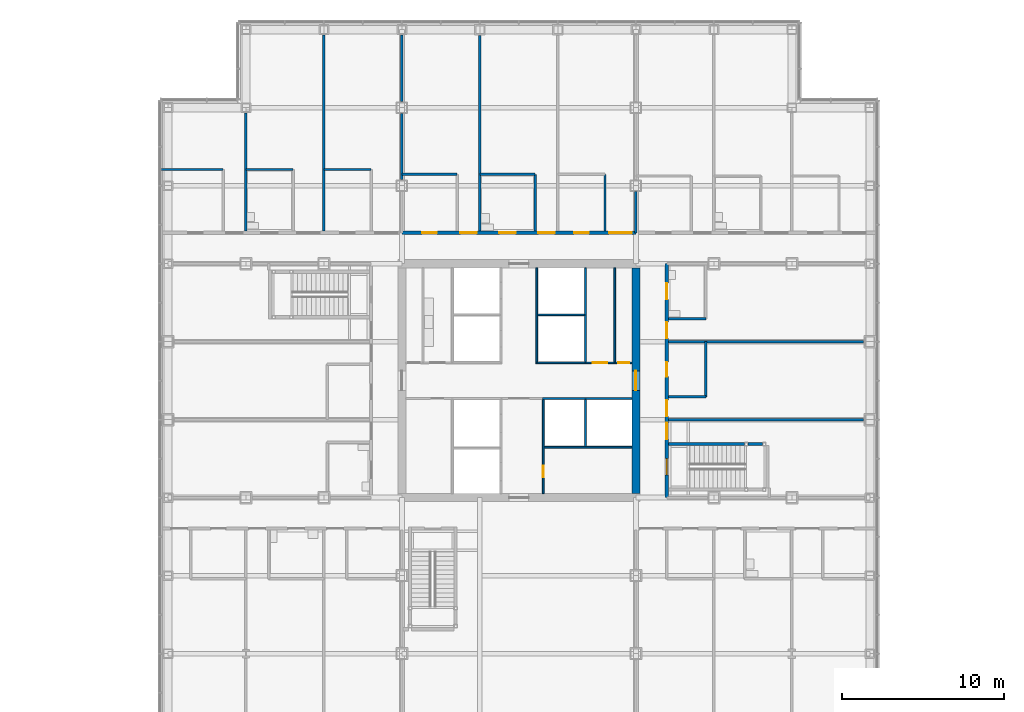
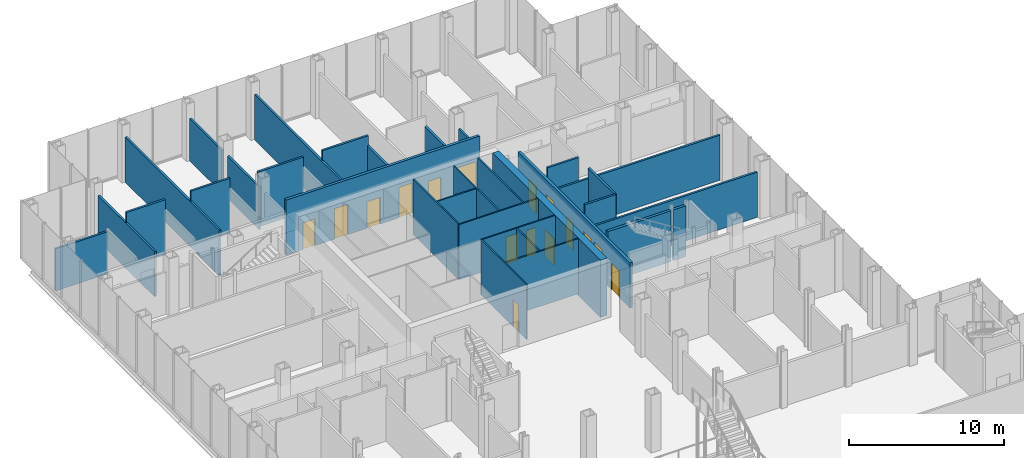
# One storey, part 22 of 28: 32 walls, 16 doors, 16 openings.
"""IFC4 building model written with IfcOpenShell, lengths in metres."""

from ifc_helpers import new_model, si_unit, direction, frame, frame_2d, origin, place, context, subcontext, project, spatial, rectangle, extrude, material, layer, layer_set, type_object, element, fill, save


model = new_model("IFC4")

# Units and contexts
model_context = context("Model", 3, precision=1e-05, world=origin(), true_north=direction((0.0, 1.0)))
body_context = subcontext(model_context, "Body", "Model", "MODEL_VIEW")
ifc_project = project(units=[si_unit("LENGTHUNIT", "METRE"), si_unit("AREAUNIT", "SQUARE_METRE"), si_unit("VOLUMEUNIT", "CUBIC_METRE"), si_unit("PLANEANGLEUNIT", "RADIAN"), si_unit("MASSUNIT", "GRAM", prefix="KILO")], contexts=[model_context])

# Site, building, storey
site_placement = place(None, origin())
site = spatial("IfcSite", under=ifc_project, at=site_placement, CompositionType="ELEMENT")
building_placement = place(site_placement, origin())
building = spatial("IfcBuilding", under=site, at=building_placement, Name="Kvirike Care Tower", CompositionType="ELEMENT")
storey_placement = place(building_placement, frame((0.0, 0.0, 4.5)))
storey = spatial("IfcBuildingStorey", under=building, at=storey_placement, Name="L01", CompositionType="ELEMENT", Elevation=4.5)

# Walls
ifc_material_1 = material(Name="Plasterboard partition", Category="gypsum")
ifc_layer_1 = layer(ifc_material_1, 0.14990234375)
ifc_layer_set_1 = layer_set([ifc_layer_1], Name="CLINIC PARTITION 150")
wall_type_1 = type_object("IfcWallType", Name="CLINIC PARTITION 150", PredefinedType="PARTITIONING", material=ifc_layer_set_1)
for number, where, z_axis, x_axis, name in (
    (1, (12.5, 49.0, 0.0), (0.0, 0.0, 1.0), (-1.0, 0.0, 0.0), "Clinic Partition 150 L01"),
    (2, (7.699951171875, 49.0, 0.0), (0.0, 0.0, 1.0), (-1.0, 0.0, 0.0), "Clinic Partition 150 L01"),
):
    element("IfcWall", number, at=place(storey_placement, frame(where, z_axis=z_axis, x_axis=x_axis)), inside=storey, type_object=wall_type_1, Name=name, PredefinedType="PARTITIONING", context=body_context, shape_type="SweptSolid", body=[
        extrude(rectangle(XDim=2.89990234375, YDim=0.14990234375, at=frame_2d((1.449951171875, 0.0))), origin(), (0.0, 0.0, 1.0), 4.330078125),
    ])
wall_1_placement = place(storey_placement, frame((3.39990234375, 49.0, 0.0), z_axis=(0.0, 0.0, 1.0), x_axis=(-1.0, 0.0, 0.0)))
element("IfcWall", 3, at=wall_1_placement, inside=storey, type_object=wall_type_1, Name="Clinic Partition 150 L01", PredefinedType="PARTITIONING", context=body_context, shape_type="SweptSolid", body=[
    extrude(rectangle(XDim=3.85498046875, YDim=0.14990234375, at=frame_2d((1.927490234375, 0.0))), origin(), (0.0, 0.0, 1.0), 3.320068359375),
])
wall_2_placement = place(storey_placement, frame((9.60009765625, 57.280029296875, 0.0), z_axis=(0.0, 0.0, 1.0), x_axis=(0.0, -1.0, 0.0)))
element("IfcWall", 4, at=wall_2_placement, inside=storey, type_object=wall_type_1, Name="Clinic Partition 150 L01", PredefinedType="PARTITIONING", context=body_context, shape_type="SweptSolid", body=[
    extrude(rectangle(XDim=12.080078125, YDim=0.14990234375, at=frame_2d((6.0400390625, 0.0))), origin(), (0.0, 0.0, 1.0), 3.550048828125),
])
wall_3_placement = place(storey_placement, frame((4.800048828125, 52.47998046875, 0.0), z_axis=(0.0, 0.0, 1.0), x_axis=(0.0, -1.0, 0.0)))
element("IfcWall", 5, at=wall_3_placement, inside=storey, type_object=wall_type_1, Name="Clinic Partition 150 L01", PredefinedType="PARTITIONING", context=body_context, shape_type="SweptSolid", body=[
    extrude(rectangle(XDim=7.280029296875, YDim=0.14990234375, at=frame_2d((3.64013671875, 0.0))), origin(), (0.0, 0.0, 1.0), 3.550048828125),
])
for number, where, z_axis, x_axis, name in (
    (6, (26.89990234375, 48.699951171875, 0.0), (0.0, 0.0, 1.0), (0.0, -1.0, 0.0), "Clinic Partition 150 L01"),
    (7, (22.60009765625, 48.699951171875, 0.0), (0.0, 0.0, 1.0), (0.0, -1.0, 0.0), "Clinic Partition 150 L01"),
):
    element("IfcWall", number, at=place(storey_placement, frame(where, z_axis=z_axis, x_axis=x_axis)), inside=storey, type_object=wall_type_1, Name=name, PredefinedType="PARTITIONING", context=body_context, shape_type="SweptSolid", body=[
        extrude(rectangle(XDim=3.5, YDim=0.14990234375, at=frame_2d((1.75, 0.0))), origin(), (0.0, 0.0, 1.0), 3.550048828125),
    ])
for number, where, z_axis, x_axis, name in (
    (8, (22.60009765625, 48.699951171875, 0.0), (0.0, 0.0, 1.0), (-1.0, 0.0, 0.0), "Clinic Partition 150 L01"),
    (9, (17.800048828125, 48.699951171875, 0.0), (0.0, 0.0, 1.0), (-1.0, 0.0, 0.0), "Clinic Partition 150 L01"),
):
    element("IfcWall", number, at=place(storey_placement, frame(where, z_axis=z_axis, x_axis=x_axis)), inside=storey, type_object=wall_type_1, Name=name, PredefinedType="PARTITIONING", context=body_context, shape_type="SweptSolid", body=[
        extrude(rectangle(XDim=3.400146484375, YDim=0.14990234375, at=frame_2d((1.7001953125, 0.0))), origin(), (0.0, 0.0, 1.0), 4.330078125),
    ])
wall_4_placement = place(storey_placement, frame((19.199951171875, 57.2548828125, 0.0), z_axis=(0.0, 0.0, 1.0), x_axis=(0.0, -1.0, 0.0)))
element("IfcWall", 10, at=wall_4_placement, inside=storey, type_object=wall_type_1, Name="Clinic Partition 150 L01", PredefinedType="PARTITIONING", context=body_context, shape_type="SweptSolid", body=[
    extrude(rectangle(XDim=12.054931640625, YDim=0.14990234375, at=frame_2d((6.02734375, 0.0))), origin(), (0.0, 0.0, 1.0), 3.550048828125),
])
wall_5_placement = place(storey_placement, frame((33.10009765625, 35.0, 0.0), z_axis=(0.0, 0.0, 1.0), x_axis=(-1.0, 0.0, 0.0)))
element("IfcWall", 11, at=wall_5_placement, inside=storey, type_object=wall_type_1, Name="Clinic Partition 150 L01", PredefinedType="PARTITIONING", context=body_context, shape_type="SweptSolid", body=[
    extrude(rectangle(XDim=2.300048828125, YDim=0.14990234375, at=frame_2d((1.14990234375, 0.0))), origin(), (0.0, 0.0, 1.0), 4.330078125),
])
wall_6_placement = place(storey_placement, frame((33.10009765625, 35.0, 0.0), z_axis=(0.0, 0.0, 1.0), x_axis=(0.0, 1.0, 0.0)))
element("IfcWall", 12, at=wall_6_placement, inside=storey, type_object=wall_type_1, Name="Clinic Partition 150 L01", PredefinedType="PARTITIONING", context=body_context, shape_type="SweptSolid", body=[
    extrude(rectangle(XDim=3.39990234375, YDim=0.14990234375, at=frame_2d((1.699951171875, 0.0))), origin(), (0.0, 0.0, 1.0), 4.330078125),
])
wall_7_placement = place(storey_placement, frame((33.10009765625, 39.800048828125, 0.0), z_axis=(0.0, 0.0, 1.0), x_axis=(-1.0, 0.0, 0.0)))
element("IfcWall", 13, at=wall_7_placement, inside=storey, type_object=wall_type_1, Name="Clinic Partition 150 L01", PredefinedType="PARTITIONING", context=body_context, shape_type="SweptSolid", body=[
    extrude(rectangle(XDim=2.300048828125, YDim=0.14990234375, at=frame_2d((1.14990234375, 0.0))), origin(), (0.0, 0.0, 1.0), 4.330078125),
])
for number, where, z_axis, x_axis, name in (
    (14, (42.804931640625, 33.60009765625, 0.0), (0.0, 0.0, 1.0), (-1.0, 0.0, 0.0), "Clinic Partition 150 L01"),
    (15, (42.804931640625, 38.39990234375, 0.0), (0.0, 0.0, 1.0), (-1.0, 0.0, 0.0), "Clinic Partition 150 L01"),
):
    element("IfcWall", number, at=place(storey_placement, frame(where, z_axis=z_axis, x_axis=x_axis)), inside=storey, type_object=wall_type_1, Name=name, PredefinedType="PARTITIONING", context=body_context, shape_type="SweptSolid", body=[
        extrude(rectangle(XDim=12.0048828125, YDim=0.14990234375, at=frame_2d((6.00244140625, 0.0))), origin(), (0.0, 0.0, 1.0), 3.550048828125),
    ])
wall_8_placement = place(storey_placement, frame((14.39990234375, 48.3701171875, 0.0), z_axis=(0.0, 0.0, 1.0), x_axis=(0.0, 1.0, 0.0)))
element("IfcWall", 16, at=wall_8_placement, inside=storey, type_object=wall_type_1, Name="Clinic Partition 150 L01", PredefinedType="PARTITIONING", context=body_context, shape_type="SweptSolid", body=[
    extrude(rectangle(XDim=4.059814453125, YDim=0.14990234375, at=frame_2d((2.02978515625, 0.0))), origin(), (0.0, 0.0, 1.0), 3.320068359375),
])
wall_9_placement = place(storey_placement, frame((14.39990234375, 53.169921875, 0.0), z_axis=(0.0, 0.0, 1.0), x_axis=(0.0, 1.0, 0.0)))
element("IfcWall", 17, at=wall_9_placement, inside=storey, type_object=wall_type_1, Name="Clinic Partition 150 L01", PredefinedType="PARTITIONING", context=body_context, shape_type="SweptSolid", body=[
    extrude(rectangle(XDim=4.110107421875, YDim=0.14990234375, at=frame_2d((2.05517578125, 0.0))), origin(), (0.0, 0.0, 1.0), 3.320068359375),
])
wall_10_placement = place(storey_placement, frame((28.800048828125, 45.10009765625, 0.0), z_axis=(0.0, 0.0, 1.0), x_axis=(0.0, 1.0, 0.0)))
element("IfcWall", 18, at=wall_10_placement, inside=storey, type_object=wall_type_1, Name="Clinic Partition 150 L01", PredefinedType="PARTITIONING", context=body_context, shape_type="SweptSolid", body=[
    extrude(rectangle(XDim=2.52978515625, YDim=0.14990234375, at=frame_2d((1.264892578125, 0.0))), origin(), (0.0, 0.0, 1.0), 3.320068359375),
])

# Wall, opening, door
ifc_material_2 = material(Name="Concrete C60/75", Category="concrete")
ifc_layer_2 = layer(ifc_material_2, 0.5)
ifc_layer_set_2 = layer_set([ifc_layer_2], Name="CORE WALL 500 C60-75")
wall_type_2 = type_object("IfcWallType", Name="CORE WALL 500 C60-75", PredefinedType="SHEAR", material=ifc_layer_set_2)
wall_11_placement = place(storey_placement, frame((28.800048828125, 29.050048828125, -0.169921875), z_axis=(0.0, 0.0, 1.0), x_axis=(0.0, 1.0, 0.0)))
wall_11 = element("IfcWall", 19, at=wall_11_placement, inside=storey, type_object=wall_type_2, Name="Core wall E L01", PredefinedType="SHEAR", context=body_context, shape_type="SweptSolid", body=[
    extrude(rectangle(XDim=13.89990234375, YDim=0.5, at=frame_2d((6.949951171875, 0.0))), origin(), (0.0, 0.0, 1.0), 4.5),
])
opening_1_placement = place(wall_11_placement, frame((6.35009765625, 0.0, 0.169921875)))
opening_1 = element("IfcOpeningElement", 20, at=opening_1_placement, cuts=wall_11, Name="Opening 01-061", PredefinedType="OPENING", context=body_context, shape_type="SweptSolid", body=[
    extrude(rectangle(XDim=1.199951171875, YDim=2.10009765625, at=frame_2d((0.60009765625, 1.050048828125))), frame((0.0, 0.260498046875, 0.0), z_axis=(0.0, -1.0, 0.0), x_axis=(1.0, 0.0, 0.0)), (0.0, 0.0, 1.0), 0.52099609375),
])
ifc_material_3 = material(Name="Timber door set", Category="wood")
door_type_1 = type_object("IfcDoorType", Name="CORE DOOR 1200", OperationType="SINGLE_SWING_LEFT", PredefinedType="DOOR", material=ifc_material_3)
door_1_placement = place(opening_1_placement, origin())
door_1 = element("IfcDoor", 21, at=door_1_placement, inside=storey, type_object=door_type_1, Name="Core door E L01", OperationType="SINGLE_SWING_LEFT", OverallHeight=2.10009765625, OverallWidth=1.199951171875, PredefinedType="DOOR", context=body_context, shape_type="SweptSolid", body=[
    extrude(rectangle(XDim=1.199951171875, YDim=2.10009765625, at=frame_2d((0.60009765625, 1.050048828125))), frame((0.0, 0.02685546875, 0.0), z_axis=(0.0, -1.0, 0.0), x_axis=(1.0, 0.0, 0.0)), (0.0, 0.0, 1.0), 0.053955078125),
])
fill(opening_1, door_1)

# Wall, openings, doors
ifc_material_4 = material(Name="Plasterboard corridor wall", Category="gypsum")
ifc_layer_3 = layer(ifc_material_4, 0.199951171875)
ifc_layer_set_3 = layer_set([ifc_layer_3], Name="CORRIDOR WALL 200")
wall_type_3 = type_object("IfcWallType", Name="CORRIDOR WALL 200", PredefinedType="PARTITIONING", material=ifc_layer_set_3)
wall_12_placement = place(storey_placement, frame((28.800048828125, 45.10009765625, 0.0), z_axis=(0.0, 0.0, 1.0), x_axis=(-1.0, 0.0, 0.0)))
wall_12 = element("IfcWall", 22, at=wall_12_placement, inside=storey, type_object=wall_type_3, Name="Corridor Wall 200 L01", PredefinedType="PARTITIONING", context=body_context, shape_type="SweptSolid", body=[
    extrude(rectangle(XDim=14.400146484375, YDim=0.199951171875, at=frame_2d((7.2001953125, 0.0))), origin(), (0.0, 0.0, 1.0), 4.330078125),
])
opening_2_placement = place(wall_12_placement, frame((0.25, 0.0, 0.0)))
opening_2 = element("IfcOpeningElement", 23, at=opening_2_placement, cuts=wall_12, Name="Opening 01-020", PredefinedType="OPENING", context=body_context, shape_type="SweptSolid", body=[
    extrude(rectangle(XDim=1.39990234375, YDim=2.39990234375, at=frame_2d((0.699951171875, 1.199951171875))), frame((0.0, 0.110595703125, 0.0), z_axis=(0.0, -1.0, 0.0), x_axis=(1.0, 0.0, 0.0)), (0.0, 0.0, 1.0), 0.220947265625),
])
opening_3_placement = place(wall_12_placement, frame((5.0, 0.0, 0.0)))
opening_3 = element("IfcOpeningElement", 24, at=opening_3_placement, cuts=wall_12, Name="Opening 01-021", PredefinedType="OPENING", context=body_context, shape_type="SweptSolid", body=[
    extrude(rectangle(XDim=1.0, YDim=2.39990234375, at=frame_2d((0.5, 1.199951171875))), frame((0.0, 0.110595703125, 0.0), z_axis=(0.0, -1.0, 0.0), x_axis=(1.0, 0.0, 0.0)), (0.0, 0.0, 1.0), 0.220947265625),
])
opening_4_placement = place(wall_12_placement, frame((9.800048828125, 0.0, 0.0)))
opening_4 = element("IfcOpeningElement", 25, at=opening_4_placement, cuts=wall_12, Name="Opening 01-022", PredefinedType="OPENING", context=body_context, shape_type="SweptSolid", body=[
    extrude(rectangle(XDim=1.0, YDim=2.39990234375, at=frame_2d((0.5, 1.199951171875))), frame((0.0, 0.110595703125, 0.0), z_axis=(0.0, -1.0, 0.0), x_axis=(1.0, 0.0, 0.0)), (0.0, 0.0, 1.0), 0.220947265625),
])
opening_5_placement = place(wall_12_placement, frame((2.89990234375, 0.0, 0.0)))
opening_5 = element("IfcOpeningElement", 26, at=opening_5_placement, cuts=wall_12, Name="Opening 01-023", PredefinedType="OPENING", context=body_context, shape_type="SweptSolid", body=[
    extrude(rectangle(XDim=0.89990234375, YDim=2.10009765625, at=frame_2d((0.449951171875, 1.050048828125))), frame((0.0, 0.110595703125, 0.0), z_axis=(0.0, -1.0, 0.0), x_axis=(1.0, 0.0, 0.0)), (0.0, 0.0, 1.0), 0.220947265625),
])
opening_6_placement = place(wall_12_placement, frame((7.39990234375, 0.0, 0.0)))
opening_6 = element("IfcOpeningElement", 27, at=opening_6_placement, cuts=wall_12, Name="Opening 01-024", PredefinedType="OPENING", context=body_context, shape_type="SweptSolid", body=[
    extrude(rectangle(XDim=1.0, YDim=2.10009765625, at=frame_2d((0.5, 1.050048828125))), frame((0.0, 0.110595703125, 0.0), z_axis=(0.0, -1.0, 0.0), x_axis=(1.0, 0.0, 0.0)), (0.0, 0.0, 1.0), 0.220947265625),
])
opening_7_placement = place(wall_12_placement, frame((12.25, 0.0, 0.0)))
opening_7 = element("IfcOpeningElement", 28, at=opening_7_placement, cuts=wall_12, Name="Opening 01-025", PredefinedType="OPENING", context=body_context, shape_type="SweptSolid", body=[
    extrude(rectangle(XDim=0.89990234375, YDim=2.10009765625, at=frame_2d((0.449951171875, 1.050048828125))), frame((0.0, 0.110595703125, 0.0), z_axis=(0.0, -1.0, 0.0), x_axis=(1.0, 0.0, 0.0)), (0.0, 0.0, 1.0), 0.220947265625),
])
ifc_material_5 = material(Name="Timber door set", Category="wood")
door_type_2 = type_object("IfcDoorType", Name="CONSULTING ROOM DOOR 1000", OperationType="SINGLE_SWING_LEFT", PredefinedType="DOOR", material=ifc_material_5)
door_2_placement = place(opening_3_placement, frame((1.0, 0.0, 0.0), z_axis=(0.0, 0.0, 1.0), x_axis=(-1.0, 0.0, 0.0)))
door_2 = element("IfcDoor", 29, at=door_2_placement, inside=storey, type_object=door_type_2, Name="Ophthalmology room door", OperationType="SINGLE_SWING_RIGHT", OverallHeight=2.39990234375, OverallWidth=1.0, PredefinedType="DOOR", context=body_context, shape_type="SweptSolid", body=[
    extrude(rectangle(XDim=1.0, YDim=2.39990234375, at=frame_2d((0.5, 1.199951171875))), frame((0.0, 0.02685546875, 0.0), z_axis=(0.0, -1.0, 0.0), x_axis=(1.0, 0.0, 0.0)), (0.0, 0.0, 1.0), 0.053955078125),
])
fill(opening_3, door_2)
door_3_placement = place(opening_4_placement, frame((1.0, 0.0, 0.0), z_axis=(0.0, 0.0, 1.0), x_axis=(-1.0, 0.0, 0.0)))
door_3 = element("IfcDoor", 30, at=door_3_placement, inside=storey, type_object=door_type_2, Name="Podiatry room door", OperationType="SINGLE_SWING_RIGHT", OverallHeight=2.39990234375, OverallWidth=1.0, PredefinedType="DOOR", context=body_context, shape_type="SweptSolid", body=[
    extrude(rectangle(XDim=1.0, YDim=2.39990234375, at=frame_2d((0.5, 1.199951171875))), frame((0.0, 0.02685546875, 0.0), z_axis=(0.0, -1.0, 0.0), x_axis=(1.0, 0.0, 0.0)), (0.0, 0.0, 1.0), 0.053955078125),
])
fill(opening_4, door_3)
ifc_material_6 = material(Name="Timber door set", Category="wood")
door_type_3 = type_object("IfcDoorType", Name="STORE DOOR 900", OperationType="SINGLE_SWING_LEFT", PredefinedType="DOOR", material=ifc_material_6)
door_4_placement = place(opening_5_placement, frame((0.89990234375, 0.0, 0.0), z_axis=(0.0, 0.0, 1.0), x_axis=(-1.0, 0.0, 0.0)))
door_4 = element("IfcDoor", 31, at=door_4_placement, inside=storey, type_object=door_type_3, Name="Store door", OperationType="SINGLE_SWING_RIGHT", OverallHeight=2.10009765625, OverallWidth=0.89990234375, PredefinedType="DOOR", context=body_context, shape_type="SweptSolid", body=[
    extrude(rectangle(XDim=0.89990234375, YDim=2.10009765625, at=frame_2d((0.449951171875, 1.050048828125))), frame((0.0, 0.02685546875, 0.0), z_axis=(0.0, -1.0, 0.0), x_axis=(1.0, 0.0, 0.0)), (0.0, 0.0, 1.0), 0.053955078125),
])
fill(opening_5, door_4)
door_5_placement = place(opening_7_placement, frame((0.89990234375, 0.0, 0.0), z_axis=(0.0, 0.0, 1.0), x_axis=(-1.0, 0.0, 0.0)))
door_5 = element("IfcDoor", 32, at=door_5_placement, inside=storey, type_object=door_type_3, Name="Store door", OperationType="SINGLE_SWING_LEFT", OverallHeight=2.10009765625, OverallWidth=0.89990234375, PredefinedType="DOOR", context=body_context, shape_type="SweptSolid", body=[
    extrude(rectangle(XDim=0.89990234375, YDim=2.10009765625, at=frame_2d((0.449951171875, 1.050048828125))), frame((0.0, 0.02685546875, 0.0), z_axis=(0.0, -1.0, 0.0), x_axis=(1.0, 0.0, 0.0)), (0.0, 0.0, 1.0), 0.053955078125),
])
fill(opening_7, door_5)
ifc_material_7 = material(Name="Timber door set", Category="wood")
door_type_4 = type_object("IfcDoorType", Name="TREATMENT ROOM DOOR 1400", OperationType="DOUBLE_DOOR_SINGLE_SWING", PredefinedType="DOOR", material=ifc_material_7)
door_6_placement = place(opening_2_placement, frame((1.39990234375, 0.0, 0.0), z_axis=(0.0, 0.0, 1.0), x_axis=(-1.0, 0.0, 0.0)))
door_6 = element("IfcDoor", 33, at=door_6_placement, inside=storey, type_object=door_type_4, Name="Phlebotomy room door", OperationType="DOUBLE_DOOR_SINGLE_SWING", OverallHeight=2.39990234375, OverallWidth=1.39990234375, PredefinedType="DOOR", context=body_context, shape_type="SweptSolid", body=[
    extrude(rectangle(XDim=1.39990234375, YDim=2.39990234375, at=frame_2d((0.699951171875, 1.199951171875))), frame((0.0, 0.02685546875, 0.0), z_axis=(0.0, -1.0, 0.0), x_axis=(1.0, 0.0, 0.0)), (0.0, 0.0, 1.0), 0.053955078125),
])
fill(opening_2, door_6)
ifc_material_8 = material(Name="Timber door set", Category="wood")
door_type_5 = type_object("IfcDoorType", Name="WC DOOR 1000", OperationType="SINGLE_SWING_LEFT", PredefinedType="DOOR", material=ifc_material_8)
door_7_placement = place(opening_6_placement, frame((1.0, 0.0, 0.0), z_axis=(0.0, 0.0, 1.0), x_axis=(-1.0, 0.0, 0.0)))
door_7 = element("IfcDoor", 34, at=door_7_placement, inside=storey, type_object=door_type_5, Name="Accessible WC door", OperationType="SINGLE_SWING_LEFT", OverallHeight=2.10009765625, OverallWidth=1.0, PredefinedType="DOOR", context=body_context, shape_type="SweptSolid", body=[
    extrude(rectangle(XDim=1.0, YDim=2.10009765625, at=frame_2d((0.5, 1.050048828125))), frame((0.0, 0.02685546875, 0.0), z_axis=(0.0, -1.0, 0.0), x_axis=(1.0, 0.0, 0.0)), (0.0, 0.0, 1.0), 0.053955078125),
])
fill(opening_6, door_7)

wall_13_placement = place(storey_placement, frame((30.699951171875, 28.800048828125, 0.0), z_axis=(0.0, 0.0, 1.0), x_axis=(0.0, 1.0, 0.0)))
wall_13 = element("IfcWall", 35, at=wall_13_placement, inside=storey, type_object=wall_type_3, Name="Corridor Wall 200 L01", PredefinedType="PARTITIONING", context=body_context, shape_type="SweptSolid", body=[
    extrude(rectangle(XDim=14.39990234375, YDim=0.199951171875, at=frame_2d((7.199951171875, 0.0))), origin(), (0.0, 0.0, 1.0), 3.550048828125),
])
opening_8_placement = place(wall_13_placement, frame((1.39990234375, 0.0, 0.0)))
opening_8 = element("IfcOpeningElement", 36, at=opening_8_placement, cuts=wall_13, Name="Opening 01-032", PredefinedType="OPENING", context=body_context, shape_type="SweptSolid", body=[
    extrude(rectangle(XDim=1.0, YDim=2.10009765625, at=frame_2d((0.5, 1.050048828125))), frame((0.0, 0.110595703125, 0.0), z_axis=(0.0, -1.0, 0.0), x_axis=(1.0, 0.0, 0.0)), (0.0, 0.0, 1.0), 0.220947265625),
])
opening_9_placement = place(wall_13_placement, frame((3.60009765625, 0.0, 0.0)))
opening_9 = element("IfcOpeningElement", 37, at=opening_9_placement, cuts=wall_13, Name="Opening 01-033", PredefinedType="OPENING", context=body_context, shape_type="SweptSolid", body=[
    extrude(rectangle(XDim=1.0, YDim=2.39990234375, at=frame_2d((0.5, 1.199951171875))), frame((0.0, 0.110595703125, 0.0), z_axis=(0.0, -1.0, 0.0), x_axis=(1.0, 0.0, 0.0)), (0.0, 0.0, 1.0), 0.220947265625),
])
opening_10_placement = place(wall_13_placement, frame((5.0, 0.0, 0.0)))
opening_10 = element("IfcOpeningElement", 38, at=opening_10_placement, cuts=wall_13, Name="Opening 01-034", PredefinedType="OPENING", context=body_context, shape_type="SweptSolid", body=[
    extrude(rectangle(XDim=1.0, YDim=2.39990234375, at=frame_2d((0.5, 1.199951171875))), frame((0.0, 0.110595703125, 0.0), z_axis=(0.0, -1.0, 0.0), x_axis=(1.0, 0.0, 0.0)), (0.0, 0.0, 1.0), 0.220947265625),
])
opening_11_placement = place(wall_13_placement, frame((9.800048828125, 0.0, 0.0)))
opening_11 = element("IfcOpeningElement", 39, at=opening_11_placement, cuts=wall_13, Name="Opening 01-035", PredefinedType="OPENING", context=body_context, shape_type="SweptSolid", body=[
    extrude(rectangle(XDim=1.0, YDim=2.39990234375, at=frame_2d((0.5, 1.199951171875))), frame((0.0, 0.110595703125, 0.0), z_axis=(0.0, -1.0, 0.0), x_axis=(1.0, 0.0, 0.0)), (0.0, 0.0, 1.0), 0.220947265625),
])
opening_12_placement = place(wall_13_placement, frame((7.449951171875, 0.0, 0.0)))
opening_12 = element("IfcOpeningElement", 40, at=opening_12_placement, cuts=wall_13, Name="Opening 01-036", PredefinedType="OPENING", context=body_context, shape_type="SweptSolid", body=[
    extrude(rectangle(XDim=0.89990234375, YDim=2.10009765625, at=frame_2d((0.449951171875, 1.050048828125))), frame((0.0, 0.110595703125, 0.0), z_axis=(0.0, -1.0, 0.0), x_axis=(1.0, 0.0, 0.0)), (0.0, 0.0, 1.0), 0.220947265625),
])
opening_13_placement = place(wall_13_placement, frame((12.199951171875, 0.0, 0.0)))
opening_13 = element("IfcOpeningElement", 41, at=opening_13_placement, cuts=wall_13, Name="Opening 01-037", PredefinedType="OPENING", context=body_context, shape_type="SweptSolid", body=[
    extrude(rectangle(XDim=1.0, YDim=2.10009765625, at=frame_2d((0.5, 1.050048828125))), frame((0.0, 0.110595703125, 0.0), z_axis=(0.0, -1.0, 0.0), x_axis=(1.0, 0.0, 0.0)), (0.0, 0.0, 1.0), 0.220947265625),
])
door_8_placement = place(opening_9_placement, frame((1.0, 0.0, 0.0), z_axis=(0.0, 0.0, 1.0), x_axis=(-1.0, 0.0, 0.0)))
door_8 = element("IfcDoor", 42, at=door_8_placement, inside=storey, type_object=door_type_2, Name="Consulting room door", OperationType="SINGLE_SWING_LEFT", OverallHeight=2.39990234375, OverallWidth=1.0, PredefinedType="DOOR", context=body_context, shape_type="SweptSolid", body=[
    extrude(rectangle(XDim=1.0, YDim=2.39990234375, at=frame_2d((0.5, 1.199951171875))), frame((0.0, 0.02685546875, 0.0), z_axis=(0.0, -1.0, 0.0), x_axis=(1.0, 0.0, 0.0)), (0.0, 0.0, 1.0), 0.053955078125),
])
fill(opening_9, door_8)
door_9_placement = place(opening_10_placement, frame((1.0, 0.0, 0.0), z_axis=(0.0, 0.0, 1.0), x_axis=(-1.0, 0.0, 0.0)))
door_9 = element("IfcDoor", 43, at=door_9_placement, inside=storey, type_object=door_type_2, Name="Consulting room door", OperationType="SINGLE_SWING_LEFT", OverallHeight=2.39990234375, OverallWidth=1.0, PredefinedType="DOOR", context=body_context, shape_type="SweptSolid", body=[
    extrude(rectangle(XDim=1.0, YDim=2.39990234375, at=frame_2d((0.5, 1.199951171875))), frame((0.0, 0.02685546875, 0.0), z_axis=(0.0, -1.0, 0.0), x_axis=(1.0, 0.0, 0.0)), (0.0, 0.0, 1.0), 0.053955078125),
])
fill(opening_10, door_9)
door_10_placement = place(opening_11_placement, frame((1.0, 0.0, 0.0), z_axis=(0.0, 0.0, 1.0), x_axis=(-1.0, 0.0, 0.0)))
door_10 = element("IfcDoor", 44, at=door_10_placement, inside=storey, type_object=door_type_2, Name="Consulting room door", OperationType="SINGLE_SWING_LEFT", OverallHeight=2.39990234375, OverallWidth=1.0, PredefinedType="DOOR", context=body_context, shape_type="SweptSolid", body=[
    extrude(rectangle(XDim=1.0, YDim=2.39990234375, at=frame_2d((0.5, 1.199951171875))), frame((0.0, 0.02685546875, 0.0), z_axis=(0.0, -1.0, 0.0), x_axis=(1.0, 0.0, 0.0)), (0.0, 0.0, 1.0), 0.053955078125),
])
fill(opening_11, door_10)
ifc_material_9 = material(Name="Timber door set", Category="wood")
door_type_6 = type_object("IfcDoorType", Name="STAIR DOOR 1000", OperationType="SINGLE_SWING_LEFT", PredefinedType="DOOR", material=ifc_material_9)
door_11_placement = place(opening_8_placement, frame((1.0, 0.0, 0.0), z_axis=(0.0, 0.0, 1.0), x_axis=(-1.0, 0.0, 0.0)))
door_11 = element("IfcDoor", 45, at=door_11_placement, inside=storey, type_object=door_type_6, Name="Stair 2 door", OperationType="SINGLE_SWING_LEFT", OverallHeight=2.10009765625, OverallWidth=1.0, PredefinedType="DOOR", context=body_context, shape_type="SweptSolid", body=[
    extrude(rectangle(XDim=1.0, YDim=2.10009765625, at=frame_2d((0.5, 1.050048828125))), frame((0.0, 0.031982421875, 0.0), z_axis=(0.0, -1.0, 0.0), x_axis=(1.0, 0.0, 0.0)), (0.0, 0.0, 1.0), 0.06396484375),
])
fill(opening_8, door_11)
door_12_placement = place(opening_12_placement, frame((0.89990234375, 0.0, 0.0), z_axis=(0.0, 0.0, 1.0), x_axis=(-1.0, 0.0, 0.0)))
door_12 = element("IfcDoor", 46, at=door_12_placement, inside=storey, type_object=door_type_3, Name="Store door", OperationType="SINGLE_SWING_RIGHT", OverallHeight=2.10009765625, OverallWidth=0.89990234375, PredefinedType="DOOR", context=body_context, shape_type="SweptSolid", body=[
    extrude(rectangle(XDim=0.89990234375, YDim=2.10009765625, at=frame_2d((0.449951171875, 1.050048828125))), frame((0.0, 0.02685546875, 0.0), z_axis=(0.0, -1.0, 0.0), x_axis=(1.0, 0.0, 0.0)), (0.0, 0.0, 1.0), 0.053955078125),
])
fill(opening_12, door_12)
door_13_placement = place(opening_13_placement, frame((1.0, 0.0, 0.0), z_axis=(0.0, 0.0, 1.0), x_axis=(-1.0, 0.0, 0.0)))
door_13 = element("IfcDoor", 47, at=door_13_placement, inside=storey, type_object=door_type_5, Name="Staff WC door", OperationType="SINGLE_SWING_RIGHT", OverallHeight=2.10009765625, OverallWidth=1.0, PredefinedType="DOOR", context=body_context, shape_type="SweptSolid", body=[
    extrude(rectangle(XDim=1.0, YDim=2.10009765625, at=frame_2d((0.5, 1.050048828125))), frame((0.0, 0.02685546875, 0.0), z_axis=(0.0, -1.0, 0.0), x_axis=(1.0, 0.0, 0.0)), (0.0, 0.0, 1.0), 0.053955078125),
])
fill(opening_13, door_13)

# Walls
ifc_material_10 = material(Name="Gypsum shaft wall system", Category="gypsum")
ifc_layer_4 = layer(ifc_material_10, 0.10009765625)
ifc_layer_set_4 = layer_set([ifc_layer_4], Name="SHAFT WALL 100")
wall_type_4 = type_object("IfcWallType", Name="SHAFT WALL 100", PredefinedType="SOLIDWALL", material=ifc_layer_set_4)
for number, where, z_axis, x_axis, name in (
    (48, (27.5, 37.14990234375, 0.0), (0.0, 0.0, 1.0), (0.0, 1.0, 0.0), "Shaft Wall 100 L01"),
    (49, (22.699951171875, 37.14990234375, 0.0), (0.0, 0.0, 1.0), (0.0, 1.0, 0.0), "Shaft Wall 100 L01"),
):
    element("IfcWall", number, at=place(storey_placement, frame(where, z_axis=z_axis, x_axis=x_axis)), inside=storey, type_object=wall_type_4, Name=name, PredefinedType="SOLIDWALL", context=body_context, shape_type="SweptSolid", body=[
        extrude(rectangle(XDim=5.800048828125, YDim=0.10009765625, at=frame_2d((2.89990234375, 0.0))), origin(), (0.0, 0.0, 1.0), 4.330078125),
    ])

# Wall, opening, door
wall_14_placement = place(storey_placement, frame((23.10009765625, 29.050048828125, 0.0), z_axis=(0.0, 0.0, 1.0), x_axis=(0.0, 1.0, 0.0)))
wall_14 = element("IfcWall", 50, at=wall_14_placement, inside=storey, type_object=wall_type_4, Name="Shaft Wall 100 L01", PredefinedType="SOLIDWALL", context=body_context, shape_type="SweptSolid", body=[
    extrude(rectangle(XDim=5.800048828125, YDim=0.10009765625, at=frame_2d((2.89990234375, 0.0))), origin(), (0.0, 0.0, 1.0), 4.330078125),
])
opening_14_placement = place(wall_14_placement, frame((1.0, 0.0, 0.0)))
opening_14 = element("IfcOpeningElement", 51, at=opening_14_placement, cuts=wall_14, Name="Opening 01-052", PredefinedType="OPENING", context=body_context, shape_type="SweptSolid", body=[
    extrude(rectangle(XDim=0.699951171875, YDim=2.10009765625, at=frame_2d((0.35009765625, 1.050048828125))), frame((0.0, 0.060546875, 0.0), z_axis=(0.0, -1.0, 0.0), x_axis=(1.0, 0.0, 0.0)), (0.0, 0.0, 1.0), 0.12109375),
])
ifc_material_11 = material(Name="Timber door set", Category="wood")
door_type_7 = type_object("IfcDoorType", Name="RISER DOOR 700", OperationType="SINGLE_SWING_LEFT", PredefinedType="DOOR", material=ifc_material_11)
door_14_placement = place(opening_14_placement, origin())
door_14 = element("IfcDoor", 52, at=door_14_placement, inside=storey, type_object=door_type_7, Name="Riser door", OperationType="SINGLE_SWING_RIGHT", OverallHeight=2.10009765625, OverallWidth=0.699951171875, PredefinedType="DOOR", context=body_context, shape_type="SweptSolid", body=[
    extrude(rectangle(XDim=0.699951171875, YDim=2.10009765625, at=frame_2d((0.35009765625, 1.050048828125))), frame((0.0, 0.02685546875, 0.0), z_axis=(0.0, -1.0, 0.0), x_axis=(1.0, 0.0, 0.0)), (0.0, 0.0, 1.0), 0.053955078125),
])
fill(opening_14, door_14)

# Wall
wall_15_placement = place(storey_placement, frame((23.050048828125, 34.89990234375, 0.0), z_axis=(0.0, 0.0, 1.0), x_axis=(1.0, 0.0, 0.0)))
element("IfcWall", 53, at=wall_15_placement, inside=storey, type_object=wall_type_4, Name="Shaft Wall 100 L01", PredefinedType="SOLIDWALL", context=body_context, shape_type="SweptSolid", body=[
    extrude(rectangle(XDim=5.5, YDim=0.10009765625, at=frame_2d((2.75, 0.0))), origin(), (0.0, 0.0, 1.0), 4.330078125),
])

# Wall, openings, doors
wall_16_placement = place(storey_placement, frame((22.64990234375, 37.10009765625, 0.0), z_axis=(0.0, 0.0, 1.0), x_axis=(1.0, 0.0, 0.0)))
wall_16 = element("IfcWall", 54, at=wall_16_placement, inside=storey, type_object=wall_type_4, Name="Shaft Wall 100 L01", PredefinedType="SOLIDWALL", context=body_context, shape_type="SweptSolid", body=[
    extrude(rectangle(XDim=5.900146484375, YDim=0.10009765625, at=frame_2d((2.9501953125, 0.0))), origin(), (0.0, 0.0, 1.0), 4.330078125),
])
opening_15_placement = place(wall_16_placement, frame((3.5, 0.0, 0.0)))
opening_15 = element("IfcOpeningElement", 55, at=opening_15_placement, cuts=wall_16, Name="Opening 01-056", PredefinedType="OPENING", context=body_context, shape_type="SweptSolid", body=[
    extrude(rectangle(XDim=0.89990234375, YDim=2.10009765625, at=frame_2d((0.449951171875, 1.050048828125))), frame((0.0, 0.060546875, 0.0), z_axis=(0.0, -1.0, 0.0), x_axis=(1.0, 0.0, 0.0)), (0.0, 0.0, 1.0), 0.12109375),
])
opening_16_placement = place(wall_16_placement, frame((5.050048828125, 0.0, 0.0)))
opening_16 = element("IfcOpeningElement", 56, at=opening_16_placement, cuts=wall_16, Name="Opening 01-057", PredefinedType="OPENING", context=body_context, shape_type="SweptSolid", body=[
    extrude(rectangle(XDim=0.699951171875, YDim=2.10009765625, at=frame_2d((0.35009765625, 1.050048828125))), frame((0.0, 0.060546875, 0.0), z_axis=(0.0, -1.0, 0.0), x_axis=(1.0, 0.0, 0.0)), (0.0, 0.0, 1.0), 0.12109375),
])
door_15_placement = place(opening_16_placement, origin())
door_15 = element("IfcDoor", 57, at=door_15_placement, inside=storey, type_object=door_type_7, Name="Riser door", OperationType="SINGLE_SWING_LEFT", OverallHeight=2.10009765625, OverallWidth=0.699951171875, PredefinedType="DOOR", context=body_context, shape_type="SweptSolid", body=[
    extrude(rectangle(XDim=0.699951171875, YDim=2.10009765625, at=frame_2d((0.35009765625, 1.050048828125))), frame((0.0, 0.02685546875, 0.0), z_axis=(0.0, -1.0, 0.0), x_axis=(1.0, 0.0, 0.0)), (0.0, 0.0, 1.0), 0.053955078125),
])
fill(opening_16, door_15)
door_16_placement = place(opening_15_placement, origin())
door_16 = element("IfcDoor", 58, at=door_16_placement, inside=storey, type_object=door_type_3, Name="Cleaners store door", OperationType="SINGLE_SWING_LEFT", OverallHeight=2.10009765625, OverallWidth=0.89990234375, PredefinedType="DOOR", context=body_context, shape_type="SweptSolid", body=[
    extrude(rectangle(XDim=0.89990234375, YDim=2.10009765625, at=frame_2d((0.449951171875, 1.050048828125))), frame((0.0, 0.02685546875, 0.0), z_axis=(0.0, -1.0, 0.0), x_axis=(1.0, 0.0, 0.0)), (0.0, 0.0, 1.0), 0.053955078125),
])
fill(opening_15, door_16)

# Walls
wall_17_placement = place(storey_placement, frame((22.75, 40.050048828125, 0.0), z_axis=(0.0, 0.0, 1.0), x_axis=(1.0, 0.0, 0.0)))
element("IfcWall", 59, at=wall_17_placement, inside=storey, type_object=wall_type_4, Name="Shaft Wall 100 L01", PredefinedType="SOLIDWALL", context=body_context, shape_type="SweptSolid", body=[
    extrude(rectangle(XDim=2.89990234375, YDim=0.10009765625, at=frame_2d((1.449951171875, 0.0))), origin(), (0.0, 0.0, 1.0), 4.330078125),
])
wall_18_placement = place(storey_placement, frame((25.699951171875, 37.14990234375, 0.0), z_axis=(0.0, 0.0, 1.0), x_axis=(0.0, 1.0, 0.0)))
element("IfcWall", 60, at=wall_18_placement, inside=storey, type_object=wall_type_4, Name="Shaft Wall 100 L01", PredefinedType="SOLIDWALL", context=body_context, shape_type="SweptSolid", body=[
    extrude(rectangle(XDim=5.800048828125, YDim=0.10009765625, at=frame_2d((2.89990234375, 0.0))), origin(), (0.0, 0.0, 1.0), 4.330078125),
])
wall_19_placement = place(storey_placement, frame((25.699951171875, 31.949951171875, 0.0), z_axis=(0.0, 0.0, 1.0), x_axis=(0.0, 1.0, 0.0)))
element("IfcWall", 61, at=wall_19_placement, inside=storey, type_object=wall_type_4, Name="Shaft Wall 100 L01", PredefinedType="SOLIDWALL", context=body_context, shape_type="SweptSolid", body=[
    extrude(rectangle(XDim=2.900146484375, YDim=0.10009765625, at=frame_2d((1.4501953125, 0.0))), origin(), (0.0, 0.0, 1.0), 4.330078125),
])
wall_20_placement = place(storey_placement, frame((23.14990234375, 31.89990234375, 0.0), z_axis=(0.0, 0.0, 1.0), x_axis=(1.0, 0.0, 0.0)))
element("IfcWall", 62, at=wall_20_placement, inside=storey, type_object=wall_type_4, Name="Shaft Wall 100 L01", PredefinedType="SOLIDWALL", context=body_context, shape_type="SweptSolid", body=[
    extrude(rectangle(XDim=5.400146484375, YDim=0.10009765625, at=frame_2d((2.7001953125, 0.0))), origin(), (0.0, 0.0, 1.0), 4.330078125),
])
ifc_material_12 = material(Name="Concrete C40/50", Category="concrete")
ifc_layer_5 = layer(ifc_material_12, 0.199951171875)
ifc_layer_set_5 = layer_set([ifc_layer_5], Name="STAIR WALL 200")
wall_type_5 = type_object("IfcWallType", Name="STAIR WALL 200", PredefinedType="SOLIDWALL", material=ifc_layer_set_5)
wall_21_placement = place(storey_placement, frame((36.60009765625, 32.10009765625, 0.0), z_axis=(0.0, 0.0, 1.0), x_axis=(-1.0, 0.0, 0.0)))
element("IfcWall", 63, at=wall_21_placement, inside=storey, type_object=wall_type_5, Name="Stair Wall 200 L01", PredefinedType="SOLIDWALL", context=body_context, shape_type="SweptSolid", body=[
    extrude(rectangle(XDim=0.900146484375, YDim=0.199951171875, at=frame_2d((0.4501953125, 0.0))), origin(), (0.0, 0.0, 1.0), 3.989990234375),
])
wall_22_placement = place(storey_placement, frame((35.5, 32.10009765625, 0.0), z_axis=(0.0, 0.0, 1.0), x_axis=(-1.0, 0.0, 0.0)))
element("IfcWall", 64, at=wall_22_placement, inside=storey, type_object=wall_type_5, Name="Stair Wall 200 L01", PredefinedType="SOLIDWALL", context=body_context, shape_type="SweptSolid", body=[
    extrude(rectangle(XDim=4.699951171875, YDim=0.199951171875, at=frame_2d((2.35009765625, 0.0))), origin(), (0.0, 0.0, 1.0), 3.989990234375),
])

save(model, "model.ifc")
